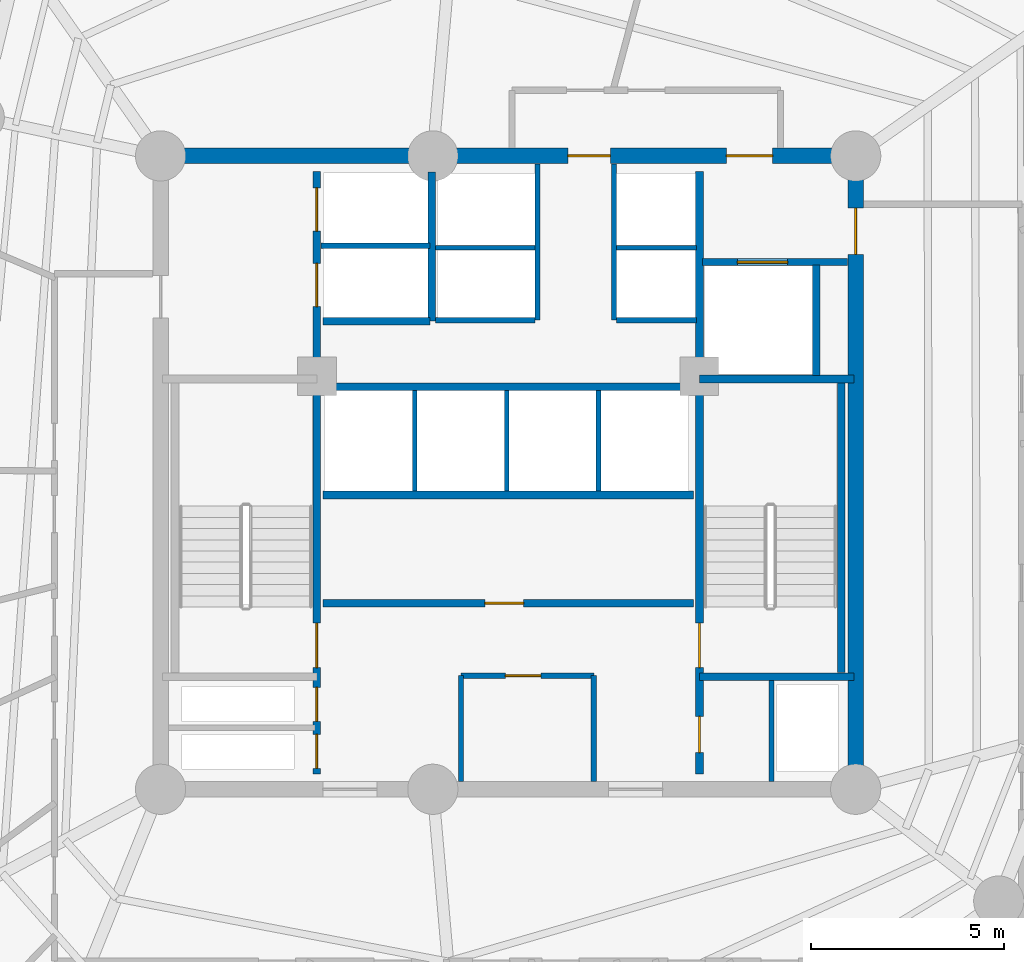
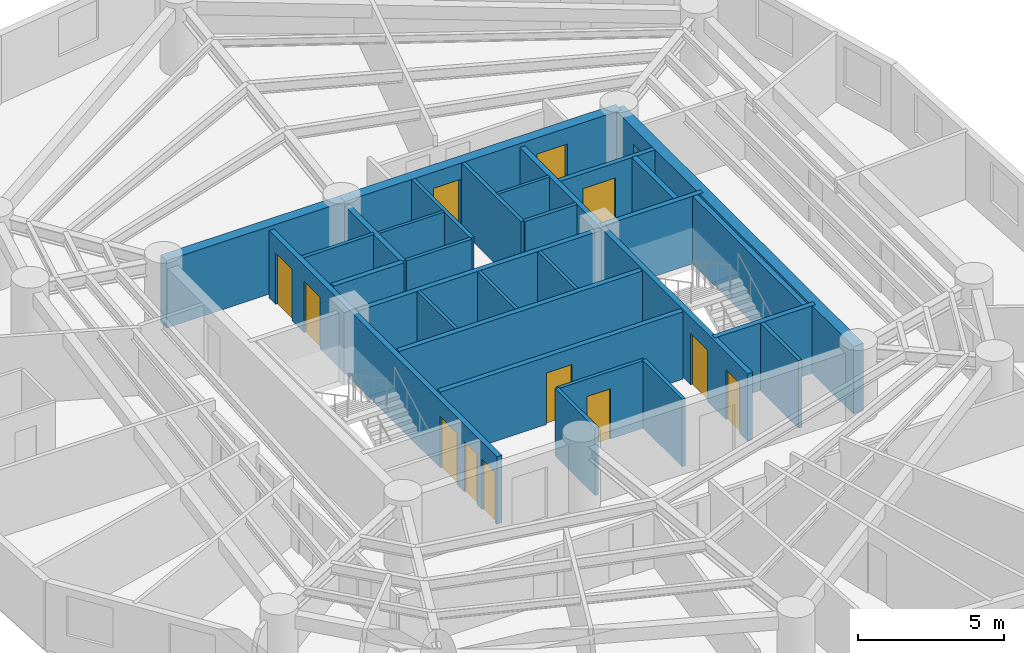
# One storey, part 4 of 7: 29 walls, 13 doors, 13 openings.
"""IFC4 building model written with IfcOpenShell, lengths in metres."""

from ifc_helpers import new_model, si_unit, direction, frame, frame_2d, origin, origin_with_axes, place, context, subcontext, project, spatial, rectangle, extrude, source, transform, mapped, material, layer, layer_set, type_object, element, fill, save


model = new_model("IFC4")

# Units and contexts
model_context = context("Model", 3, precision=1e-05, world=origin(), true_north=direction((0.0, 1.0)))
body_context = subcontext(model_context, "Body", "Model", "MODEL_VIEW")
ifc_project = project(units=[si_unit("LENGTHUNIT", "METRE"), si_unit("AREAUNIT", "SQUARE_METRE"), si_unit("VOLUMEUNIT", "CUBIC_METRE"), si_unit("PLANEANGLEUNIT", "RADIAN"), si_unit("MASSUNIT", "GRAM", prefix="KILO")], contexts=[model_context])

# Site, building, storey
site_placement = place(None, origin())
site = spatial("IfcSite", under=ifc_project, at=site_placement, CompositionType="ELEMENT")
building_placement = place(site_placement, origin())
building = spatial("IfcBuilding", under=site, at=building_placement, Name="Karkom Vertical University and Central Library", CompositionType="ELEMENT")
storey_placement = place(building_placement, frame((0.0, 0.0, 193.14990234375)))
storey = spatial("IfcBuildingStorey", under=building, at=storey_placement, Name="L56", CompositionType="ELEMENT", Elevation=193.14990234375)

# Walls
ifc_material_1 = material(Name="Moisture-resistant drywall 120mm", Category="gypsum")
ifc_layer_1 = layer(ifc_material_1, 0.1201171875)
ifc_layer_set_1 = layer_set([ifc_layer_1], Name="Moisture-resistant drywall 120mm")
wall_type_1 = type_object("IfcWallType", Name="INT-WL-INT-120H", PredefinedType="PARTITIONING", material=ifc_layer_set_1)
for number, where, z_axis, x_axis, name in (
    (1, (26.080078125, 26.02001953125, 0.0), (0.0, 0.0, 1.0), (0.0, 1.0, 0.0), "Level 56 Interior Partition Wall L56-CW-PM-DIV1"),
    (2, (28.4599609375, 26.02001953125, 0.0), (0.0, 0.0, 1.0), (0.0, 1.0, 0.0), "Level 56 Interior Partition Wall L56-CW-PM-DIV2"),
    (3, (30.840087890625, 26.02001953125, 0.0), (0.0, 0.0, 1.0), (0.0, 1.0, 0.0), "Level 56 Interior Partition Wall L56-CW-PM-DIV3"),
):
    element("IfcWall", number, at=place(storey_placement, frame(where, z_axis=z_axis, x_axis=x_axis)), inside=storey, type_object=wall_type_1, Name=name, PredefinedType="PARTITIONING", context=body_context, shape_type="SweptSolid", body=[
        extrude(rectangle(XDim=2.60009765625, YDim=0.1201171875, at=frame_2d((1.300048828125, 0.0))), origin(), (0.0, 0.0, 1.0), 2.8251953125),
    ])
wall_1_placement = place(storey_placement, frame((26.6201171875, 32.320068359375, 0.0), z_axis=(0.0, 0.0, 1.0), x_axis=(1.0, 0.0, 0.0)))
element("IfcWall", 4, at=wall_1_placement, inside=storey, type_object=wall_type_1, Name="Level 56 Interior Partition Wall L56-CW-PH-MW", PredefinedType="PARTITIONING", context=body_context, shape_type="SweptSolid", body=[
    extrude(rectangle(XDim=2.579833984375, YDim=0.1201171875, at=frame_2d((1.2900390625, 0.0))), origin(), (0.0, 0.0, 1.0), 2.8251953125),
])
wall_2_placement = place(storey_placement, frame((31.300048828125, 32.320068359375, 0.0), z_axis=(0.0, 0.0, 1.0), x_axis=(1.0, 0.0, 0.0)))
element("IfcWall", 5, at=wall_2_placement, inside=storey, type_object=wall_type_1, Name="Level 56 Interior Partition Wall L56-CW-PH-ME", PredefinedType="PARTITIONING", context=body_context, shape_type="SweptSolid", body=[
    extrude(rectangle(XDim=2.074951171875, YDim=0.1201171875, at=frame_2d((1.03759765625, 0.0))), origin(), (0.0, 0.0, 1.0), 2.8251953125),
])

# Wall, opening, door
ifc_material_2 = material(Name="Metal-stud gypsum partition 140mm", Category="gypsum")
ifc_layer_2 = layer(ifc_material_2, 0.139892578125)
ifc_layer_set_2 = layer_set([ifc_layer_2], Name="Metal-stud gypsum partition 140mm")
wall_type_2 = type_object("IfcWallType", Name="INT-WL-SUB-140", PredefinedType="PARTITIONING", material=ifc_layer_set_2)
wall_3_placement = place(storey_placement, frame((27.280029296875, 21.239990234375, 0.0), z_axis=(0.0, 0.0, 1.0), x_axis=(1.0, 0.0, 0.0)))
wall_3 = element("IfcWall", 6, at=wall_3_placement, inside=storey, type_object=wall_type_2, Name="Level 56 Interior Partition Wall L56-CW-KBAY-N", PredefinedType="PARTITIONING", context=body_context, shape_type="SweptSolid", body=[
    extrude(rectangle(XDim=3.43994140625, YDim=0.139892578125, at=frame_2d((1.719970703125, 0.0))), origin(), (0.0, 0.0, 1.0), 2.8251953125),
])
opening_1_placement = place(wall_3_placement, frame((1.14990234375, 0.0, 0.0)))
opening_1 = element("IfcOpeningElement", 7, at=opening_1_placement, cuts=wall_3, Name="Opening D-SVC1", PredefinedType="OPENING", context=body_context, shape_type="SweptSolid", body=[
    extrude(rectangle(XDim=0.919921875, YDim=2.10009765625, at=frame_2d((0.4599609375, 1.050048828125))), frame((0.0, 0.080078125, 0.0), z_axis=(0.0, -1.0, 0.0), x_axis=(1.0, 0.0, 0.0)), (0.0, 0.0, 1.0), 0.159912109375),
])
ifc_material_3 = material(Name="Painted timber service door", Category="wood")
door_type_1 = type_object("IfcDoorType", Name="INT-DR-SVC1", OperationType="NOTDEFINED", PredefinedType="DOOR", material=ifc_material_3)
shared_shape_1 = source(origin_with_axes(), body_context, "Body", "SweptSolid", [
    extrude(rectangle(XDim=0.919921875, YDim=2.10009765625, at=frame_2d((0.4599609375, 1.050048828125))), frame((0.0, 0.02490234375, 0.0), z_axis=(0.0, -1.0, 0.0), x_axis=(1.0, 0.0, 0.0)), (0.0, 0.0, 1.0), 0.050048828125),
])
door_1_placement = place(opening_1_placement, origin())
door_1 = element("IfcDoor", 8, at=door_1_placement, inside=storey, type_object=door_type_1, Name="Level 56 Comms Room Door", OperationType="SINGLE_SWING_RIGHT", OverallHeight=2.10009765625, OverallWidth=0.919921875, PredefinedType="DOOR", context=body_context, shape_type="MappedRepresentation", body=[
    mapped(shared_shape_1, transform((0.0, 0.0, 0.0), scale=1.0)),
])
fill(opening_1, door_1)

# Walls
for number, where, z_axis, x_axis, name in (
    (9, (27.280029296875, 18.507080078125, 0.0), (0.0, 0.0, 1.0), (0.0, 1.0, 0.0), "Level 56 Interior Partition Wall L56-CW-KBAY-W"),
    (10, (30.719970703125, 18.507080078125, 0.0), (0.0, 0.0, 1.0), (0.0, 1.0, 0.0), "Level 56 Interior Partition Wall L56-CW-KBAY-E"),
):
    element("IfcWall", number, at=place(storey_placement, frame(where, z_axis=z_axis, x_axis=x_axis)), inside=storey, type_object=wall_type_2, Name=name, PredefinedType="PARTITIONING", context=body_context, shape_type="SweptSolid", body=[
        extrude(rectangle(XDim=2.73291015625, YDim=0.139892578125, at=frame_2d((1.366455078125, 0.0))), origin(), (0.0, 0.0, 1.0), 2.8251953125),
    ])
ifc_layer_3 = layer(ifc_material_2, 0.139892578125)
ifc_layer_set_3 = layer_set([ifc_layer_3], Name="Metal-stud gypsum partition 140mm")
wall_type_3 = type_object("IfcWallType", Name="INT-WL-SUB-140H", PredefinedType="PARTITIONING", material=ifc_layer_set_3)
for number, where, z_axis, x_axis, name in (
    (11, (29.260009765625, 30.449951171875, 0.0), (0.0, 0.0, 1.0), (0.0, 1.0, 0.0), "Level 56 Interior Partition Wall L56-CW-PH-W"),
    (12, (31.239990234375, 30.449951171875, 0.0), (0.0, 0.0, 1.0), (0.0, 1.0, 0.0), "Level 56 Interior Partition Wall L56-CW-PH-E"),
):
    element("IfcWall", number, at=place(storey_placement, frame(where, z_axis=z_axis, x_axis=x_axis)), inside=storey, type_object=wall_type_3, Name=name, PredefinedType="PARTITIONING", context=body_context, shape_type="SweptSolid", body=[
        extrude(rectangle(XDim=4.04296875, YDim=0.139892578125, at=frame_2d((2.021484375, 0.0))), origin(), (0.0, 0.0, 1.0), 2.8251953125),
    ])
wall_4_placement = place(storey_placement, frame((26.6201171875, 30.449951171875, 0.0), z_axis=(0.0, 0.0, 1.0), x_axis=(1.0, 0.0, 0.0)))
element("IfcWall", 13, at=wall_4_placement, inside=storey, type_object=wall_type_3, Name="Level 56 Interior Partition Wall L56-CW-PH-S1", PredefinedType="PARTITIONING", context=body_context, shape_type="SweptSolid", body=[
    extrude(rectangle(XDim=2.579833984375, YDim=0.139892578125, at=frame_2d((1.2900390625, 0.0))), origin(), (0.0, 0.0, 1.0), 2.8251953125),
])
wall_5_placement = place(storey_placement, frame((35.320068359375, 18.507080078125, 0.0), z_axis=(0.0, 0.0, 1.0), x_axis=(0.0, 1.0, 0.0)))
element("IfcWall", 14, at=wall_5_placement, inside=storey, type_object=wall_type_3, Name="Level 56 Interior Partition Wall L56-CW-RIS-E", PredefinedType="PARTITIONING", context=body_context, shape_type="SweptSolid", body=[
    extrude(rectangle(XDim=2.603759765625, YDim=0.139892578125, at=frame_2d((1.3017578125, 0.0))), origin(), (0.0, 0.0, 1.0), 2.8251953125),
])
wall_6_placement = place(storey_placement, frame((31.300048828125, 30.449951171875, 0.0), z_axis=(0.0, 0.0, 1.0), x_axis=(1.0, 0.0, 0.0)))
element("IfcWall", 15, at=wall_6_placement, inside=storey, type_object=wall_type_3, Name="Level 56 Interior Partition Wall L56-CW-PH-S2", PredefinedType="PARTITIONING", context=body_context, shape_type="SweptSolid", body=[
    extrude(rectangle(XDim=2.074951171875, YDim=0.139892578125, at=frame_2d((1.03759765625, 0.0))), origin(), (0.0, 0.0, 1.0), 2.8251953125),
])
ifc_layer_4 = layer(ifc_material_2, 0.139892578125)
ifc_layer_set_4 = layer_set([ifc_layer_4], Name="Metal-stud gypsum partition 140mm")
wall_type_4 = type_object("IfcWallType", Name="INT-WL-SUB-140X", PredefinedType="PARTITIONING", material=ifc_layer_set_4)
wall_7_placement = place(storey_placement, frame((23.652099609375, 32.3701171875, 0.0), z_axis=(0.0, 0.0, 1.0), x_axis=(1.0, 0.0, 0.0)))
element("IfcWall", 16, at=wall_7_placement, inside=storey, type_object=wall_type_4, Name="Level 56 Interior Partition Wall L56-CW-FFL-M", PredefinedType="PARTITIONING", context=body_context, shape_type="SweptSolid", body=[
    extrude(rectangle(XDim=2.827880859375, YDim=0.139892578125, at=frame_2d((1.4140625, 0.0))), origin(), (0.0, 0.0, 1.0), 2.8251953125),
])

# Wall, opening, door
ifc_material_4 = material(Name="Twin-stud acoustic drywall 180mm", Category="gypsum")
ifc_layer_5 = layer(ifc_material_4, 0.179931640625)
ifc_layer_set_5 = layer_set([ifc_layer_5], Name="Twin-stud acoustic drywall 180mm")
wall_type_5 = type_object("IfcWallType", Name="INT-WL-TEN-180F", PredefinedType="PARTITIONING", material=ifc_layer_set_5)
wall_8_placement = place(storey_placement, frame((33.534912109375, 31.949951171875, 0.0), z_axis=(0.0, 0.0, 1.0), x_axis=(1.0, 0.0, 0.0)))
wall_8 = element("IfcWall", 17, at=wall_8_placement, inside=storey, type_object=wall_type_5, Name="Level 56 Interior Partition Wall L56-CW-SVL-N", PredefinedType="PARTITIONING", context=body_context, shape_type="SweptSolid", body=[
    extrude(rectangle(XDim=3.7587890625, YDim=0.179931640625, at=frame_2d((1.87939453125, 0.0))), origin(), (0.0, 0.0, 1.0), 2.8251953125),
])
opening_2_placement = place(wall_8_placement, frame((0.89990234375, 0.0, 0.0)))
opening_2 = element("IfcOpeningElement", 18, at=opening_2_placement, cuts=wall_8, Name="Opening LD-SV1", PredefinedType="OPENING", context=body_context, shape_type="SweptSolid", body=[
    extrude(rectangle(XDim=1.300048828125, YDim=2.199951171875, at=frame_2d((0.64990234375, 1.10009765625))), frame((0.0, 0.10009765625, 0.0), z_axis=(0.0, -1.0, 0.0), x_axis=(1.0, 0.0, 0.0)), (0.0, 0.0, 1.0), 0.199951171875),
])
ifc_material_5 = material(Name="Brushed stainless-steel landing door", Category="steel")
door_type_2 = type_object("IfcDoorType", Name="INT-DR-LD-SV1", OperationType="SLIDING_TO_LEFT", PredefinedType="DOOR", material=ifc_material_5)
shared_shape_2 = source(origin_with_axes(), body_context, "Body", "SweptSolid", [
    extrude(rectangle(XDim=1.300048828125, YDim=2.199951171875, at=frame_2d((0.64990234375, 1.10009765625))), frame((0.0, 0.02490234375, 0.0), z_axis=(0.0, -1.0, 0.0), x_axis=(1.0, 0.0, 0.0)), (0.0, 0.0, 1.0), 0.050048828125),
])
door_2_placement = place(opening_2_placement, origin())
door_2 = element("IfcDoor", 19, at=door_2_placement, inside=storey, type_object=door_type_2, Name="Level 56 Service Lift Landing Door LD-SV1", OperationType="SLIDING_TO_LEFT", OverallHeight=2.199951171875, OverallWidth=1.300048828125, PredefinedType="DOOR", context=body_context, shape_type="MappedRepresentation", body=[
    mapped(shared_shape_2, transform((0.0, 0.0, 0.0), scale=1.0)),
])
fill(opening_2, door_2)

ifc_material_6 = material(Name="Concrete C50/60", Category="concrete")
ifc_layer_6 = layer(ifc_material_6, 0.39990234375)
ifc_layer_set_6 = layer_set([ifc_layer_6], Name="Concrete C50/60")
wall_type_6 = type_object("IfcWallType", Name="STR-WL-CW-400", PredefinedType="SHEAR", material=ifc_layer_set_6)
wall_9_placement = place(storey_placement, frame((37.5, 18.300048828125, 0.0), z_axis=(0.0, 0.0, 1.0), x_axis=(0.0, 1.0, 0.0)))
wall_9 = element("IfcWall", 20, at=wall_9_placement, inside=storey, type_object=wall_type_6, Name="Level 56 Central Core Shear Wall EW", PredefinedType="SHEAR", context=body_context, shape_type="SweptSolid", body=[
    extrude(rectangle(XDim=16.39990234375, YDim=0.39990234375, at=frame_2d((8.199951171875, 0.0))), origin(), (0.0, 0.0, 1.0), 2.8251953125),
])
opening_3_placement = place(wall_9_placement, frame((13.85009765625, 0.0, 0.0)))
opening_3 = element("IfcOpeningElement", 21, at=opening_3_placement, cuts=wall_9, Name="Opening FD-SUB1", PredefinedType="OPENING", context=body_context, shape_type="SweptSolid", body=[
    extrude(rectangle(XDim=1.199951171875, YDim=2.14990234375, at=frame_2d((0.60009765625, 1.074951171875))), frame((0.0, 0.2099609375, 0.0), z_axis=(0.0, -1.0, 0.0), x_axis=(1.0, 0.0, 0.0)), (0.0, 0.0, 1.0), 0.419921875),
])
ifc_material_7 = material(Name="Painted steel fire door", Category="steel")
door_type_3 = type_object("IfcDoorType", Name="INT-DR-SUB1", OperationType="NOTDEFINED", PredefinedType="DOOR", material=ifc_material_7)
shared_shape_3 = source(origin_with_axes(), body_context, "Body", "SweptSolid", [
    extrude(rectangle(XDim=1.199951171875, YDim=2.14990234375, at=frame_2d((0.60009765625, 1.074951171875))), frame((0.0, 0.02490234375, 0.0), z_axis=(0.0, -1.0, 0.0), x_axis=(1.0, 0.0, 0.0)), (0.0, 0.0, 1.0), 0.050048828125),
])
door_3_placement = place(opening_3_placement, origin())
door_3 = element("IfcDoor", 22, at=door_3_placement, inside=storey, type_object=door_type_3, Name="Level 56 East Corridor Service Lobby Door", OperationType="SINGLE_SWING_LEFT", OverallHeight=2.14990234375, OverallWidth=1.199951171875, PredefinedType="DOOR", context=body_context, shape_type="MappedRepresentation", body=[
    mapped(shared_shape_3, transform((0.0, 0.0, 0.0), scale=1.0)),
])
fill(opening_3, door_3)

# Wall, openings, doors
wall_10_placement = place(storey_placement, frame((37.5, 34.699951171875, 0.0), z_axis=(0.0, 0.0, 1.0), x_axis=(-1.0, 0.0, 0.0)))
wall_10 = element("IfcWall", 23, at=wall_10_placement, inside=storey, type_object=wall_type_6, Name="Level 56 Central Core Shear Wall NW1", PredefinedType="SHEAR", context=body_context, shape_type="SweptSolid", body=[
    extrude(rectangle(XDim=10.949951171875, YDim=0.39990234375, at=frame_2d((5.47509765625, 0.0))), origin(), (0.0, 0.0, 1.0), 2.8251953125),
])
opening_4_placement = place(wall_10_placement, frame((2.14990234375, 0.0, 0.0)))
opening_4 = element("IfcOpeningElement", 24, at=opening_4_placement, cuts=wall_10, Name="Opening FD-SUB1", PredefinedType="OPENING", context=body_context, shape_type="SweptSolid", body=[
    extrude(rectangle(XDim=1.199951171875, YDim=2.14990234375, at=frame_2d((0.60009765625, 1.074951171875))), frame((0.0, 0.2099609375, 0.0), z_axis=(0.0, -1.0, 0.0), x_axis=(1.0, 0.0, 0.0)), (0.0, 0.0, 1.0), 0.419921875),
])
opening_5_placement = place(wall_10_placement, frame((6.35009765625, 0.0, 0.0)))
opening_5 = element("IfcOpeningElement", 25, at=opening_5_placement, cuts=wall_10, Name="Opening FD-FFL", PredefinedType="OPENING", context=body_context, shape_type="SweptSolid", body=[
    extrude(rectangle(XDim=1.10009765625, YDim=2.14990234375, at=frame_2d((0.550048828125, 1.074951171875))), frame((0.0, 0.2099609375, 0.0), z_axis=(0.0, -1.0, 0.0), x_axis=(1.0, 0.0, 0.0)), (0.0, 0.0, 1.0), 0.419921875),
])
ifc_material_8 = material(Name="Painted steel smoke-seal fire door", Category="steel")
door_type_4 = type_object("IfcDoorType", Name="INT-DR-FFL", OperationType="NOTDEFINED", PredefinedType="DOOR", material=ifc_material_8)
shared_shape_4 = source(origin_with_axes(), body_context, "Body", "SweptSolid", [
    extrude(rectangle(XDim=1.10009765625, YDim=2.14990234375, at=frame_2d((0.550048828125, 1.074951171875))), frame((0.0, 0.02490234375, 0.0), z_axis=(0.0, -1.0, 0.0), x_axis=(1.0, 0.0, 0.0)), (0.0, 0.0, 1.0), 0.050048828125),
])
door_4_placement = place(opening_5_placement, origin())
door_4 = element("IfcDoor", 26, at=door_4_placement, inside=storey, type_object=door_type_4, Name="Level 56 North Core Lobby Exit Door", OperationType="SINGLE_SWING_RIGHT", OverallHeight=2.14990234375, OverallWidth=1.10009765625, PredefinedType="DOOR", context=body_context, shape_type="MappedRepresentation", body=[
    mapped(shared_shape_4, transform((0.0, 0.0, 0.0), scale=1.0)),
])
fill(opening_5, door_4)
door_5_placement = place(opening_4_placement, origin())
door_5 = element("IfcDoor", 27, at=door_5_placement, inside=storey, type_object=door_type_3, Name="Level 56 Service Lobby Fire Door", OperationType="SINGLE_SWING_RIGHT", OverallHeight=2.14990234375, OverallWidth=1.199951171875, PredefinedType="DOOR", context=body_context, shape_type="MappedRepresentation", body=[
    mapped(shared_shape_3, transform((0.0, 0.0, 0.0), scale=1.0)),
])
fill(opening_4, door_5)

# Wall
wall_11_placement = place(storey_placement, frame((26.550048828125, 34.699951171875, 0.0), z_axis=(0.0, 0.0, 1.0), x_axis=(-1.0, 0.0, 0.0)))
element("IfcWall", 28, at=wall_11_placement, inside=storey, type_object=wall_type_6, Name="Level 56 Central Core Shear Wall NW2", PredefinedType="SHEAR", context=body_context, shape_type="SweptSolid", body=[
    extrude(rectangle(XDim=7.050048828125, YDim=0.39990234375, at=frame_2d((3.52490234375, 0.0))), origin(), (0.0, 0.0, 1.0), 2.8251953125),
])

# Wall, openings, doors
ifc_material_9 = material(Name="Concrete C45/55", Category="concrete")
ifc_layer_7 = layer(ifc_material_9, 0.199951171875)
ifc_layer_set_7 = layer_set([ifc_layer_7], Name="Concrete C45/55")
wall_type_7 = type_object("IfcWallType", Name="STR-WL-ST-200", PredefinedType="SHEAR", material=ifc_layer_set_7)
wall_12_placement = place(storey_placement, frame((23.544921875, 18.699951171875, 0.0), z_axis=(0.0, 0.0, 1.0), x_axis=(0.0, 1.0, 0.0)))
wall_12 = element("IfcWall", 29, at=wall_12_placement, inside=storey, type_object=wall_type_7, Name="Level 56 Core Shaft Wall L56-CW-ST1-E", PredefinedType="SHEAR", context=body_context, shape_type="SweptSolid", body=[
    extrude(rectangle(XDim=15.60009765625, YDim=0.199951171875, at=frame_2d((7.800048828125, 0.0))), origin(), (0.0, 0.0, 1.0), 2.8251953125),
])
opening_6_placement = place(wall_12_placement, frame((2.75, 0.0, 0.0)))
opening_6 = element("IfcOpeningElement", 30, at=opening_6_placement, cuts=wall_12, Name="Opening FD-ST1", PredefinedType="OPENING", context=body_context, shape_type="SweptSolid", body=[
    extrude(rectangle(XDim=1.14990234375, YDim=2.14990234375, at=frame_2d((0.574951171875, 1.074951171875))), frame((0.0, 0.10986328125, 0.0), z_axis=(0.0, -1.0, 0.0), x_axis=(1.0, 0.0, 0.0)), (0.0, 0.0, 1.0), 0.219970703125),
])
opening_7_placement = place(wall_12_placement, frame((0.139892578125, 0.0, 0.0)))
opening_7 = element("IfcOpeningElement", 31, at=opening_7_placement, cuts=wall_12, Name="Opening FD-RIS", PredefinedType="OPENING", context=body_context, shape_type="SweptSolid", body=[
    extrude(rectangle(XDim=0.8798828125, YDim=2.10009765625, at=frame_2d((0.43994140625, 1.050048828125))), frame((0.0, 0.10986328125, 0.0), z_axis=(0.0, -1.0, 0.0), x_axis=(1.0, 0.0, 0.0)), (0.0, 0.0, 1.0), 0.219970703125),
])
opening_8_placement = place(wall_12_placement, frame((1.360107421875, 0.0, 0.0)))
opening_8 = element("IfcOpeningElement", 32, at=opening_8_placement, cuts=wall_12, Name="Opening FD-RIS", PredefinedType="OPENING", context=body_context, shape_type="SweptSolid", body=[
    extrude(rectangle(XDim=0.8798828125, YDim=2.10009765625, at=frame_2d((0.43994140625, 1.050048828125))), frame((0.0, 0.10986328125, 0.0), z_axis=(0.0, -1.0, 0.0), x_axis=(1.0, 0.0, 0.0)), (0.0, 0.0, 1.0), 0.219970703125),
])
opening_9_placement = place(wall_12_placement, frame((12.10009765625, 0.0, 0.0)))
opening_9 = element("IfcOpeningElement", 33, at=opening_9_placement, cuts=wall_12, Name="Opening LD-FFL", PredefinedType="OPENING", context=body_context, shape_type="SweptSolid", body=[
    extrude(rectangle(XDim=1.1201171875, YDim=2.14990234375, at=frame_2d((0.56005859375, 1.074951171875))), frame((0.0, 0.10986328125, 0.0), z_axis=(0.0, -1.0, 0.0), x_axis=(1.0, 0.0, 0.0)), (0.0, 0.0, 1.0), 0.219970703125),
])
opening_10_placement = place(wall_12_placement, frame((14.050048828125, 0.0, 0.0)))
opening_10 = element("IfcOpeningElement", 34, at=opening_10_placement, cuts=wall_12, Name="Opening LD-FFL", PredefinedType="OPENING", context=body_context, shape_type="SweptSolid", body=[
    extrude(rectangle(XDim=1.1201171875, YDim=2.14990234375, at=frame_2d((0.56005859375, 1.074951171875))), frame((0.0, 0.10986328125, 0.0), z_axis=(0.0, -1.0, 0.0), x_axis=(1.0, 0.0, 0.0)), (0.0, 0.0, 1.0), 0.219970703125),
])
ifc_material_10 = material(Name="Painted steel acoustic fire door", Category="steel")
door_type_5 = type_object("IfcDoorType", Name="INT-DR-ST1", OperationType="NOTDEFINED", PredefinedType="DOOR", material=ifc_material_10)
shared_shape_5 = source(origin_with_axes(), body_context, "Body", "SweptSolid", [
    extrude(rectangle(XDim=1.14990234375, YDim=2.14990234375, at=frame_2d((0.574951171875, 1.074951171875))), frame((0.0, 0.02490234375, 0.0), z_axis=(0.0, -1.0, 0.0), x_axis=(1.0, 0.0, 0.0)), (0.0, 0.0, 1.0), 0.050048828125),
])
door_6_placement = place(opening_6_placement, origin())
door_6 = element("IfcDoor", 35, at=door_6_placement, inside=storey, type_object=door_type_5, Name="Level 56 Stair ST-1 Fire Door", OperationType="SINGLE_SWING_RIGHT", OverallHeight=2.14990234375, OverallWidth=1.14990234375, PredefinedType="DOOR", context=body_context, shape_type="MappedRepresentation", body=[
    mapped(shared_shape_5, transform((0.0, 0.0, 0.0), scale=1.0)),
])
fill(opening_6, door_6)
ifc_material_11 = material(Name="Painted steel riser access door", Category="steel")
door_type_6 = type_object("IfcDoorType", Name="INT-DR-RIS", OperationType="NOTDEFINED", PredefinedType="DOOR", material=ifc_material_11)
shared_shape_6 = source(origin_with_axes(), body_context, "Body", "SweptSolid", [
    extrude(rectangle(XDim=0.8798828125, YDim=2.10009765625, at=frame_2d((0.43994140625, 1.050048828125))), frame((0.0, 0.02490234375, 0.0), z_axis=(0.0, -1.0, 0.0), x_axis=(1.0, 0.0, 0.0)), (0.0, 0.0, 1.0), 0.050048828125),
])
door_7_placement = place(opening_7_placement, origin())
door_7 = element("IfcDoor", 36, at=door_7_placement, inside=storey, type_object=door_type_6, Name="Level 56 Electrical Riser Access Door", OperationType="SINGLE_SWING_LEFT", OverallHeight=2.10009765625, OverallWidth=0.8798828125, PredefinedType="DOOR", context=body_context, shape_type="MappedRepresentation", body=[
    mapped(shared_shape_6, transform((0.0, 0.0, 0.0), scale=1.0)),
])
fill(opening_7, door_7)
door_8_placement = place(opening_8_placement, origin())
door_8 = element("IfcDoor", 37, at=door_8_placement, inside=storey, type_object=door_type_6, Name="Level 56 Telecom Riser Access Door", OperationType="SINGLE_SWING_RIGHT", OverallHeight=2.10009765625, OverallWidth=0.8798828125, PredefinedType="DOOR", context=body_context, shape_type="MappedRepresentation", body=[
    mapped(shared_shape_6, transform((0.0, 0.0, 0.0), scale=1.0)),
])
fill(opening_8, door_8)
ifc_material_12 = material(Name="Fire-rated stainless-steel landing door", Category="steel")
door_type_7 = type_object("IfcDoorType", Name="INT-DR-LD-FFL", OperationType="SLIDING_TO_LEFT", PredefinedType="DOOR", material=ifc_material_12)
shared_shape_7 = source(origin_with_axes(), body_context, "Body", "SweptSolid", [
    extrude(rectangle(XDim=1.1201171875, YDim=2.14990234375, at=frame_2d((0.56005859375, 1.074951171875))), frame((0.0, 0.02490234375, 0.0), z_axis=(0.0, -1.0, 0.0), x_axis=(1.0, 0.0, 0.0)), (0.0, 0.0, 1.0), 0.050048828125),
])
door_9_placement = place(opening_9_placement, origin())
door_9 = element("IfcDoor", 38, at=door_9_placement, inside=storey, type_object=door_type_7, Name="Level 56 Firefighting Lift FFL-1 Landing Door", OperationType="SLIDING_TO_LEFT", OverallHeight=2.14990234375, OverallWidth=1.1201171875, PredefinedType="DOOR", context=body_context, shape_type="MappedRepresentation", body=[
    mapped(shared_shape_7, transform((0.0, 0.0, 0.0), scale=1.0)),
])
fill(opening_9, door_9)
door_10_placement = place(opening_10_placement, origin())
door_10 = element("IfcDoor", 39, at=door_10_placement, inside=storey, type_object=door_type_7, Name="Level 56 Firefighting Lift FFL-2 Landing Door", OperationType="SLIDING_TO_RIGHT", OverallHeight=2.14990234375, OverallWidth=1.1201171875, PredefinedType="DOOR", context=body_context, shape_type="MappedRepresentation", body=[
    mapped(shared_shape_7, transform((0.0, 0.0, 0.0), scale=1.0)),
])
fill(opening_10, door_10)

wall_13_placement = place(storey_placement, frame((33.455078125, 18.699951171875, 0.0), z_axis=(0.0, 0.0, 1.0), x_axis=(0.0, 1.0, 0.0)))
wall_13 = element("IfcWall", 40, at=wall_13_placement, inside=storey, type_object=wall_type_7, Name="Level 56 Core Shaft Wall L56-CW-ST2-W", PredefinedType="SHEAR", context=body_context, shape_type="SweptSolid", body=[
    extrude(rectangle(XDim=15.60009765625, YDim=0.199951171875, at=frame_2d((7.800048828125, 0.0))), origin(), (0.0, 0.0, 1.0), 2.8251953125),
])
opening_11_placement = place(wall_13_placement, frame((2.75, 0.0, 0.0)))
opening_11 = element("IfcOpeningElement", 41, at=opening_11_placement, cuts=wall_13, Name="Opening FD-ST1", PredefinedType="OPENING", context=body_context, shape_type="SweptSolid", body=[
    extrude(rectangle(XDim=1.14990234375, YDim=2.14990234375, at=frame_2d((0.574951171875, 1.074951171875))), frame((0.0, 0.10986328125, 0.0), z_axis=(0.0, -1.0, 0.0), x_axis=(1.0, 0.0, 0.0)), (0.0, 0.0, 1.0), 0.219970703125),
])
opening_12_placement = place(wall_13_placement, frame((0.550048828125, 0.0, 0.0)))
opening_12 = element("IfcOpeningElement", 42, at=opening_12_placement, cuts=wall_13, Name="Opening D-WC1", PredefinedType="OPENING", context=body_context, shape_type="SweptSolid", body=[
    extrude(rectangle(XDim=0.93994140625, YDim=2.10009765625, at=frame_2d((0.469970703125, 1.050048828125))), frame((0.0, 0.10986328125, 0.0), z_axis=(0.0, -1.0, 0.0), x_axis=(1.0, 0.0, 0.0)), (0.0, 0.0, 1.0), 0.219970703125),
])
door_11_placement = place(opening_11_placement, origin())
door_11 = element("IfcDoor", 43, at=door_11_placement, inside=storey, type_object=door_type_5, Name="Level 56 Stair ST-2 Fire Door", OperationType="SINGLE_SWING_LEFT", OverallHeight=2.14990234375, OverallWidth=1.14990234375, PredefinedType="DOOR", context=body_context, shape_type="MappedRepresentation", body=[
    mapped(shared_shape_5, transform((0.0, 0.0, 0.0), scale=1.0)),
])
fill(opening_11, door_11)
ifc_material_13 = material(Name="Fire-rated laminate moisture-resistant door", Category="wood")
door_type_8 = type_object("IfcDoorType", Name="INT-DR-WC1", OperationType="NOTDEFINED", PredefinedType="DOOR", material=ifc_material_13)
shared_shape_8 = source(origin_with_axes(), body_context, "Body", "SweptSolid", [
    extrude(rectangle(XDim=0.93994140625, YDim=2.10009765625, at=frame_2d((0.469970703125, 1.050048828125))), frame((0.0, 0.02490234375, 0.0), z_axis=(0.0, -1.0, 0.0), x_axis=(1.0, 0.0, 0.0)), (0.0, 0.0, 1.0), 0.050048828125),
])
door_12_placement = place(opening_12_placement, origin())
door_12 = element("IfcDoor", 44, at=door_12_placement, inside=storey, type_object=door_type_8, Name="Level 56 Accessible WC Door", OperationType="SINGLE_SWING_LEFT", OverallHeight=2.10009765625, OverallWidth=0.93994140625, PredefinedType="DOOR", context=body_context, shape_type="MappedRepresentation", body=[
    mapped(shared_shape_8, transform((0.0, 0.0, 0.0), scale=1.0)),
])
fill(opening_12, door_12)

# Wall, opening, door
wall_14_placement = place(storey_placement, frame((23.699951171875, 23.1201171875, 0.0), z_axis=(0.0, 0.0, 1.0), x_axis=(1.0, 0.0, 0.0)))
wall_14 = element("IfcWall", 45, at=wall_14_placement, inside=storey, type_object=wall_type_7, Name="Level 56 Core Shaft Wall L56-CW-B1-S", PredefinedType="SHEAR", context=body_context, shape_type="SweptSolid", body=[
    extrude(rectangle(XDim=9.60009765625, YDim=0.199951171875, at=frame_2d((4.800048828125, 0.0))), origin(), (0.0, 0.0, 1.0), 2.8251953125),
])
opening_13_placement = place(wall_14_placement, frame((4.199951171875, 0.0, 0.0)))
opening_13 = element("IfcOpeningElement", 46, at=opening_13_placement, cuts=wall_14, Name="Opening D-STR1", PredefinedType="OPENING", context=body_context, shape_type="SweptSolid", body=[
    extrude(rectangle(XDim=1.0, YDim=2.14990234375, at=frame_2d((0.5, 1.074951171875))), frame((0.0, 0.10986328125, 0.0), z_axis=(0.0, -1.0, 0.0), x_axis=(1.0, 0.0, 0.0)), (0.0, 0.0, 1.0), 0.219970703125),
])
ifc_material_14 = material(Name="Solid-core hardwood fire door", Category="wood")
door_type_9 = type_object("IfcDoorType", Name="INT-DR-STR1", OperationType="NOTDEFINED", PredefinedType="DOOR", material=ifc_material_14)
shared_shape_9 = source(origin_with_axes(), body_context, "Body", "SweptSolid", [
    extrude(rectangle(XDim=1.0, YDim=2.14990234375, at=frame_2d((0.5, 1.074951171875))), frame((0.0, 0.02490234375, 0.0), z_axis=(0.0, -1.0, 0.0), x_axis=(1.0, 0.0, 0.0)), (0.0, 0.0, 1.0), 0.050048828125),
])
door_13_placement = place(opening_13_placement, origin())
door_13 = element("IfcDoor", 47, at=door_13_placement, inside=storey, type_object=door_type_9, Name="Level 56 Campus Digital Archive Store Door", OperationType="SINGLE_SWING_LEFT", OverallHeight=2.14990234375, OverallWidth=1.0, PredefinedType="DOOR", context=body_context, shape_type="MappedRepresentation", body=[
    mapped(shared_shape_9, transform((0.0, 0.0, 0.0), scale=1.0)),
])
fill(opening_13, door_13)

# Walls
for number, where, z_axis, x_axis, name in (
    (48, (23.699951171875, 25.919921875, 0.0), (0.0, 0.0, 1.0), (1.0, 0.0, 0.0), "Level 56 Core Shaft Wall L56-CW-B1-N"),
    (49, (23.699951171875, 28.719970703125, 0.0), (0.0, 0.0, 1.0), (1.0, 0.0, 0.0), "Level 56 Core Shaft Wall L56-CW-B2-N"),
):
    element("IfcWall", number, at=place(storey_placement, frame(where, z_axis=z_axis, x_axis=x_axis)), inside=storey, type_object=wall_type_7, Name=name, PredefinedType="SHEAR", context=body_context, shape_type="SweptSolid", body=[
        extrude(rectangle(XDim=9.60009765625, YDim=0.199951171875, at=frame_2d((4.800048828125, 0.0))), origin(), (0.0, 0.0, 1.0), 2.8251953125),
    ])
wall_15_placement = place(storey_placement, frame((37.125, 21.320068359375, 0.0), z_axis=(0.0, 0.0, 1.0), x_axis=(0.0, 1.0, 0.0)))
element("IfcWall", 50, at=wall_15_placement, inside=storey, type_object=wall_type_7, Name="Level 56 Core Shaft Wall L56-CW-ST2-E", PredefinedType="SHEAR", context=body_context, shape_type="SweptSolid", body=[
    extrude(rectangle(XDim=7.5, YDim=0.199951171875, at=frame_2d((3.75, 0.0))), origin(), (0.0, 0.0, 1.0), 2.8251953125),
])
for number, where, z_axis, x_axis, name in (
    (51, (33.455078125, 21.215087890625, 0.0), (0.0, 0.0, 1.0), (1.0, 0.0, 0.0), "Level 56 Core Shaft Wall L56-CW-ST2-S"),
    (52, (33.455078125, 28.925048828125, 0.0), (0.0, 0.0, 1.0), (1.0, 0.0, 0.0), "Level 56 Core Shaft Wall L56-CW-ST2-N"),
):
    element("IfcWall", number, at=place(storey_placement, frame(where, z_axis=z_axis, x_axis=x_axis)), inside=storey, type_object=wall_type_7, Name=name, PredefinedType="SHEAR", context=body_context, shape_type="SweptSolid", body=[
        extrude(rectangle(XDim=3.994873046875, YDim=0.199951171875, at=frame_2d((1.99755859375, 0.0))), origin(), (0.0, 0.0, 1.0), 2.8251953125),
    ])
wall_16_placement = place(storey_placement, frame((26.52001953125, 30.419921875, 0.0), z_axis=(0.0, 0.0, 1.0), x_axis=(0.0, 1.0, 0.0)))
element("IfcWall", 53, at=wall_16_placement, inside=storey, type_object=wall_type_7, Name="Level 56 Core Shaft Wall L56-CW-FFL-E", PredefinedType="SHEAR", context=body_context, shape_type="SweptSolid", body=[
    extrude(rectangle(XDim=3.860107421875, YDim=0.199951171875, at=frame_2d((1.93017578125, 0.0))), origin(), (0.0, 0.0, 1.0), 2.8251953125),
])
wall_17_placement = place(storey_placement, frame((36.47998046875, 29.02001953125, 0.0), z_axis=(0.0, 0.0, 1.0), x_axis=(0.0, 1.0, 0.0)))
element("IfcWall", 54, at=wall_17_placement, inside=storey, type_object=wall_type_7, Name="Level 56 Core Shaft Wall L56-CW-SVL-E", PredefinedType="SHEAR", context=body_context, shape_type="SweptSolid", body=[
    extrude(rectangle(XDim=2.85986328125, YDim=0.199951171875, at=frame_2d((1.429931640625, 0.0))), origin(), (0.0, 0.0, 1.0), 2.8251953125),
])
wall_18_placement = place(storey_placement, frame((23.699951171875, 30.419921875, 0.0), z_axis=(0.0, 0.0, 1.0), x_axis=(1.0, 0.0, 0.0)))
element("IfcWall", 55, at=wall_18_placement, inside=storey, type_object=wall_type_7, Name="Level 56 Core Shaft Wall L56-CW-FFL-S", PredefinedType="SHEAR", context=body_context, shape_type="SweptSolid", body=[
    extrude(rectangle(XDim=2.780029296875, YDim=0.199951171875, at=frame_2d((1.39013671875, 0.0))), origin(), (0.0, 0.0, 1.0), 2.8251953125),
])

save(model, "model.ifc")
